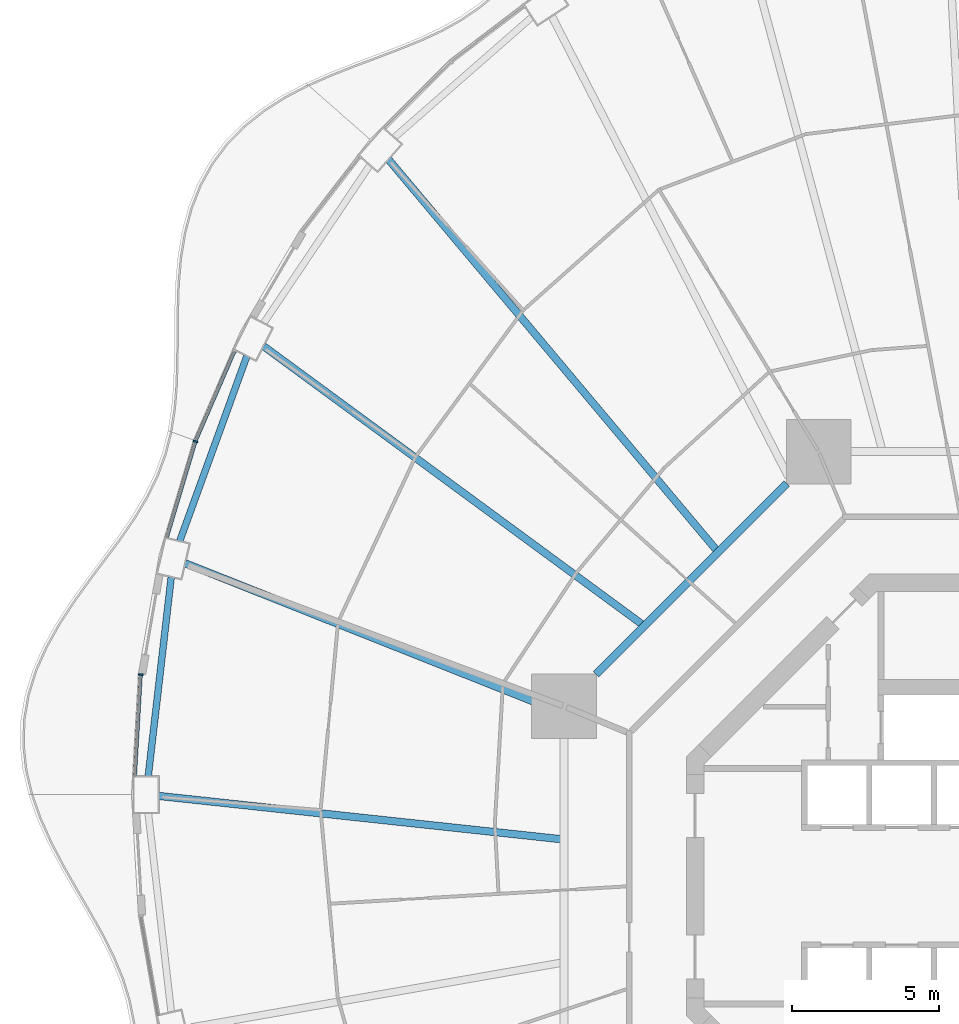
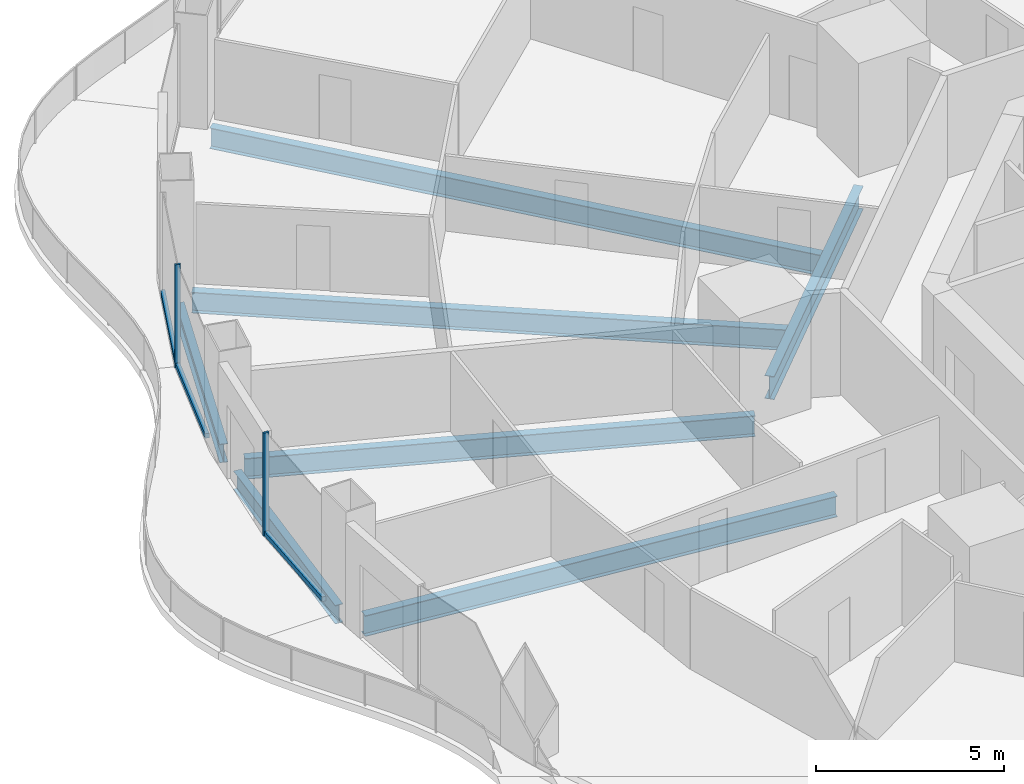
# One storey, part 7 of 23: 7 beams, 5 members, 3 elements without a shape of their own.
"""IFC4 building model written with IfcOpenShell, lengths in metres."""

from ifc_helpers import new_model, si_unit, direction, frame, origin, origin_2d, place, context, subcontext, project, spatial, rectangle, i_section, extrude, material, layer, layer_set, material_profile, profile_set, type_object, element, aggregate, save


model = new_model("IFC4")

# Units and contexts
model_context = context("Model", 3, precision=1e-05, world=origin(), true_north=direction((0.0, 1.0)))
body_context = subcontext(model_context, "Body", "Model", "MODEL_VIEW")
ifc_project = project(units=[si_unit("LENGTHUNIT", "METRE"), si_unit("AREAUNIT", "SQUARE_METRE"), si_unit("VOLUMEUNIT", "CUBIC_METRE"), si_unit("PLANEANGLEUNIT", "RADIAN"), si_unit("MASSUNIT", "GRAM", prefix="KILO")], contexts=[model_context])

# Site, building, storey
site_placement = place(None, origin())
site = spatial("IfcSite", under=ifc_project, at=site_placement, CompositionType="ELEMENT")
building_placement = place(site_placement, origin())
building = spatial("IfcBuilding", under=site, at=building_placement, Name="Nagisa Residences", CompositionType="ELEMENT")
storey_placement = place(building_placement, frame((0.0, 0.0, 110.300048828125)))
storey = spatial("IfcBuildingStorey", under=building, at=storey_placement, Name="L27", CompositionType="ELEMENT", Elevation=110.300048828125)

# Curtain wall, member
ifc_material_1 = material(Name="Concrete-coloured aluminium curtain wall system", Category="concrete")
ifc_layer = layer(ifc_material_1, 0.159912109375)
ifc_layer_set = layer_set([ifc_layer], Name="CW1 CURTAIN WALL")
curtain_wall_type = type_object("IfcCurtainWallType", Name="CW1 CURTAIN WALL", PredefinedType="NOTDEFINED", material=ifc_layer_set)
curtain_wall_1_placement = place(storey_placement, origin())
curtain_wall_1 = element("IfcCurtainWall", 1, at=curtain_wall_1_placement, inside=storey, type_object=curtain_wall_type, Name="cw:CW1:L27:21", PredefinedType="NOTDEFINED")
ifc_material_2 = material(Name="Concrete-coloured aluminium", Category="concrete")
ifc_material_profile_1 = material_profile(ifc_material_2, rectangle(XDim=0.159912109375, YDim=0.06005859375, at=origin_2d()), Name="CW1 MULLION 160x60")
ifc_profile_set_1 = profile_set([ifc_material_profile_1], Name="Concrete-coloured aluminium")
member_type_1 = type_object("IfcMemberType", Name="CW1 MULLION 160x60", PredefinedType="MULLION", material=ifc_profile_set_1)
member_1_placement = place(storey_placement, frame((-27.31884765625, 15.12646484375, 0.0), z_axis=(0.0, 0.0, 1.0), x_axis=(0.958271310082, -0.285860274038, 0.0)))
member_1 = element("IfcMember", 2, at=member_1_placement, type_object=member_type_1, Name="CW1 mullion", PredefinedType="MULLION", context=body_context, shape_type="SweptSolid", body=[
    extrude(rectangle(XDim=0.159912109375, YDim=0.06005859375, at=origin_2d()), origin(), (0.0, 0.0, 1.0), 3.349853515625),
])

curtain_wall_2_placement = place(storey_placement, origin())
curtain_wall_2 = element("IfcCurtainWall", 3, at=curtain_wall_2_placement, inside=storey, type_object=curtain_wall_type, Name="cw:CW1:L27:23", PredefinedType="NOTDEFINED")
member_2_placement = place(storey_placement, frame((-29.179931640625, 7.19677734375, 0.0), z_axis=(0.0, 0.0, 1.0), x_axis=(0.998345305184, -0.057503492216, 0.0)))
member_2 = element("IfcMember", 4, at=member_2_placement, type_object=member_type_1, Name="CW1 mullion", PredefinedType="MULLION", context=body_context, shape_type="SweptSolid", body=[
    extrude(rectangle(XDim=0.159912109375, YDim=0.06005859375, at=origin_2d()), origin(), (0.0, 0.0, 1.0), 3.349853515625),
])

curtain_wall_3_placement = place(storey_placement, origin())
curtain_wall_3 = element("IfcCurtainWall", 5, at=curtain_wall_3_placement, inside=storey, type_object=curtain_wall_type, Name="cw:CW1:L27:20", PredefinedType="NOTDEFINED")
ifc_material_3 = material(Name="Concrete-coloured aluminium", Category="concrete")
ifc_material_profile_2 = material_profile(ifc_material_3, rectangle(XDim=0.1201171875, YDim=0.14990234375, at=origin_2d()), Name="CW1 TRANSOM 120x150")
ifc_profile_set_2 = profile_set([ifc_material_profile_2], Name="Concrete-coloured aluminium")
member_type_2 = type_object("IfcMemberType", Name="CW1 TRANSOM 120x150", PredefinedType="USERDEFINED", material=ifc_profile_set_2)
member_3_placement = place(storey_placement, frame((-25.9697265625, 18.2470703125, 0.074951171875), z_axis=(-0.397621629246, -0.917549475481, 0.0), x_axis=(0.917549475481, -0.397621629246, 0.0)))
member_3 = element("IfcMember", 6, at=member_3_placement, type_object=member_type_2, Name="CW1 transom", ObjectType="TRANSOM", PredefinedType="USERDEFINED", context=body_context, shape_type="SweptSolid", body=[
    extrude(rectangle(XDim=0.1201171875, YDim=0.14990234375, at=origin_2d()), origin(), (0.0, 0.0, 1.0), 3.37939453125),
])
aggregate(curtain_wall_3, [member_3])

# Member
member_4_placement = place(storey_placement, frame((-27.310302734375, 15.155029296875, 0.074951171875), z_axis=(-0.285816610469, -0.958284334203, 0.0), x_axis=(0.958284334203, -0.285816610469, 0.0)))
member_4 = element("IfcMember", 7, at=member_4_placement, type_object=member_type_2, Name="CW1 transom", ObjectType="TRANSOM", PredefinedType="USERDEFINED", context=body_context, shape_type="SweptSolid", body=[
    extrude(rectangle(XDim=0.1201171875, YDim=0.14990234375, at=origin_2d()), origin(), (0.0, 0.0, 1.0), 3.423583984375),
])

aggregate(curtain_wall_1, [member_1, member_4])

member_5_placement = place(storey_placement, frame((-29.17822265625, 7.2265625, 0.074951171875), z_axis=(-0.057476526179, -0.99834685803, 0.0), x_axis=(0.99834685803, -0.057476526179, 0.0)))
member_5 = element("IfcMember", 8, at=member_5_placement, type_object=member_type_2, Name="CW1 transom", ObjectType="TRANSOM", PredefinedType="USERDEFINED", context=body_context, shape_type="SweptSolid", body=[
    extrude(rectangle(XDim=0.1201171875, YDim=0.14990234375, at=origin_2d()), origin(), (0.0, 0.0, 1.0), 3.47021484375),
])

aggregate(curtain_wall_2, [member_2, member_5])

# Beams
ifc_material_4 = material(Name="Steel ASTM A572 Gr 50", Category="steel")
ifc_material_profile_3 = material_profile(ifc_material_4, i_section(OverallWidth=0.264892578125, OverallDepth=0.7529296875, WebThickness=0.01318359375, FlangeThickness=0.01708984375, at=origin_2d()), Name="W760x147")
ifc_profile_set_3 = profile_set([ifc_material_profile_3], Name="Steel ASTM A572 Gr 50")
beam_type_1 = type_object("IfcBeamType", Name="Inner ring beam W760x147", PredefinedType="BEAM", material=ifc_profile_set_3)
beam_1_placement = place(storey_placement, frame((-7.208740234375, 13.6962890625, -0.636474609375), z_axis=(-0.707106781187, -0.707106781187, 0.0), x_axis=(0.707106781187, -0.707106781187, 0.0)))
element("IfcBeam", 9, at=beam_1_placement, inside=storey, type_object=beam_type_1, Name="beam:L27:ib3", PredefinedType="BEAM", context=body_context, shape_type="SweptSolid", body=[
    extrude(i_section(OverallWidth=0.264892578125, OverallDepth=0.7529296875, WebThickness=0.01318359375, FlangeThickness=0.01708984375, at=origin_2d()), origin(), (0.0, 0.0, 1.0), 9.1748046875),
])
ifc_material_5 = material(Name="Steel ASTM A572 Gr 50", Category="steel")
ifc_material_profile_4 = material_profile(ifc_material_5, i_section(OverallWidth=0.22802734375, OverallDepth=0.60302734375, WebThickness=0.010498046875, FlangeThickness=0.014892578125, at=origin_2d()), Name="W610x101")
ifc_profile_set_4 = profile_set([ifc_material_profile_4], Name="Steel ASTM A572 Gr 50")
beam_type_2 = type_object("IfcBeamType", Name="Perimeter ring beam W610x101", PredefinedType="BEAM", material=ifc_profile_set_4)
beam_2_placement = place(storey_placement, frame((-25.568359375, 18.028564453125, -0.5615234375), z_axis=(-0.341365002286, -0.939930814057, 0.0), x_axis=(0.939930814057, -0.341365002286, 0.0)))
element("IfcBeam", 10, at=beam_2_placement, inside=storey, type_object=beam_type_2, Name="beam:L27:pb11", PredefinedType="BEAM", context=body_context, shape_type="SweptSolid", body=[
    extrude(i_section(OverallWidth=0.22802734375, OverallDepth=0.60302734375, WebThickness=0.010498046875, FlangeThickness=0.014892578125, at=origin_2d()), origin(), (0.0, 0.0, 1.0), 6.689208984375),
])
beam_3_placement = place(storey_placement, frame((-28.14111328125, 10.5146484375, -0.5615234375), z_axis=(-0.114690766503, -0.993401242237, 0.0), x_axis=(0.993401242237, -0.114690766503, 0.0)))
element("IfcBeam", 11, at=beam_3_placement, inside=storey, type_object=beam_type_2, Name="beam:L27:pb12", PredefinedType="BEAM", context=body_context, shape_type="SweptSolid", body=[
    extrude(i_section(OverallWidth=0.22802734375, OverallDepth=0.60302734375, WebThickness=0.010498046875, FlangeThickness=0.014892578125, at=origin_2d()), origin(), (0.0, 0.0, 1.0), 6.811767578125),
])
ifc_material_6 = material(Name="Steel ASTM A572 Gr 50", Category="steel")
ifc_material_profile_5 = material_profile(ifc_material_6, i_section(OverallWidth=0.2529296875, OverallDepth=0.677978515625, WebThickness=0.01171875, FlangeThickness=0.016357421875, at=origin_2d()), Name="W690x125")
ifc_profile_set_5 = profile_set([ifc_material_profile_5], Name="Steel ASTM A572 Gr 50")
beam_type_3 = type_object("IfcBeamType", Name="Radial beam W690x125", PredefinedType="BEAM", material=ifc_profile_set_5)
beam_4_placement = place(storey_placement, frame((-20.75, 24.71533203125, -0.59912109375), z_axis=(0.642994706096, -0.765870620884, 0.0), x_axis=(0.765870620884, 0.642994706096, 0.0)))
element("IfcBeam", 12, at=beam_4_placement, inside=storey, type_object=beam_type_3, Name="beam:L27:rb10", PredefinedType="BEAM", context=body_context, shape_type="SweptSolid", body=[
    extrude(i_section(OverallWidth=0.2529296875, OverallDepth=0.677978515625, WebThickness=0.01171875, FlangeThickness=0.016357421875, at=origin_2d()), origin(), (0.0, 0.0, 1.0), 17.319580078125),
])
beam_5_placement = place(storey_placement, frame((-25.0, 18.366943359375, -0.59912109375), z_axis=(0.805892392895, -0.59206203313, 0.0), x_axis=(0.59206203313, 0.805892392895, 0.0)))
element("IfcBeam", 13, at=beam_5_placement, inside=storey, type_object=beam_type_3, Name="beam:L27:rb11", PredefinedType="BEAM", context=body_context, shape_type="SweptSolid", body=[
    extrude(i_section(OverallWidth=0.2529296875, OverallDepth=0.677978515625, WebThickness=0.01171875, FlangeThickness=0.016357421875, at=origin_2d()), origin(), (0.0, 0.0, 1.0), 15.95361328125),
])
beam_6_placement = place(storey_placement, frame((-27.6640625, 10.984375, -0.59912109375), z_axis=(0.929418643834, -0.369027078267, 0.0), x_axis=(0.369027078267, 0.929418643834, 0.0)))
element("IfcBeam", 14, at=beam_6_placement, inside=storey, type_object=beam_type_3, Name="beam:L27:rb12", PredefinedType="BEAM", context=body_context, shape_type="SweptSolid", body=[
    extrude(i_section(OverallWidth=0.2529296875, OverallDepth=0.677978515625, WebThickness=0.01171875, FlangeThickness=0.016357421875, at=origin_2d()), origin(), (0.0, 0.0, 1.0), 13.73779296875),
])
beam_7_placement = place(storey_placement, frame((-28.56494140625, 3.071533203125, -0.59912109375), z_axis=(0.99426817007, -0.10691494744, 0.0), x_axis=(0.10691494744, 0.99426817007, 0.0)))
element("IfcBeam", 15, at=beam_7_placement, inside=storey, type_object=beam_type_3, Name="beam:L27:rb13", PredefinedType="BEAM", context=body_context, shape_type="SweptSolid", body=[
    extrude(i_section(OverallWidth=0.2529296875, OverallDepth=0.677978515625, WebThickness=0.01171875, FlangeThickness=0.016357421875, at=origin_2d()), origin(), (0.0, 0.0, 1.0), 13.7490234375),
])

save(model, "model.ifc")
